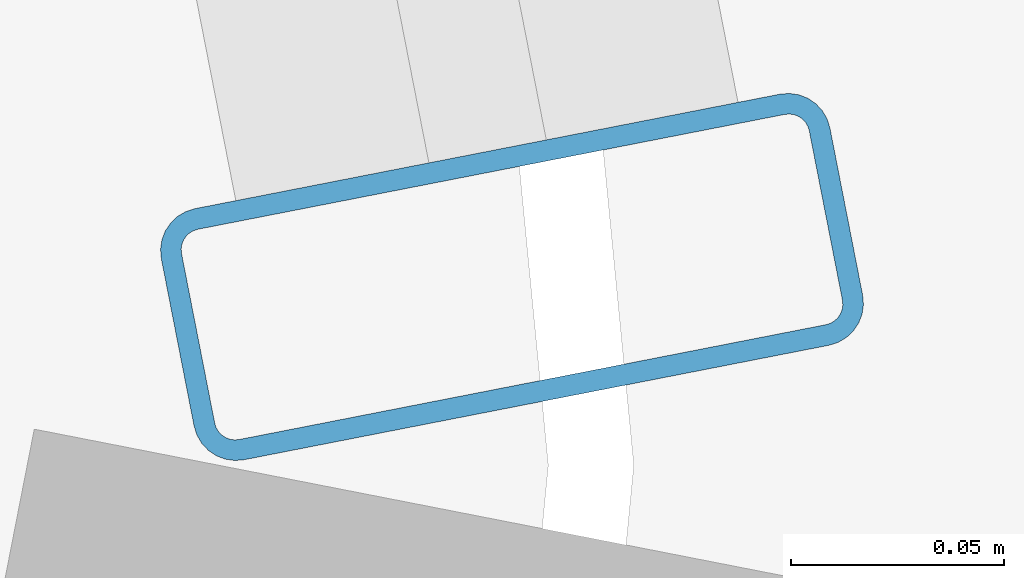
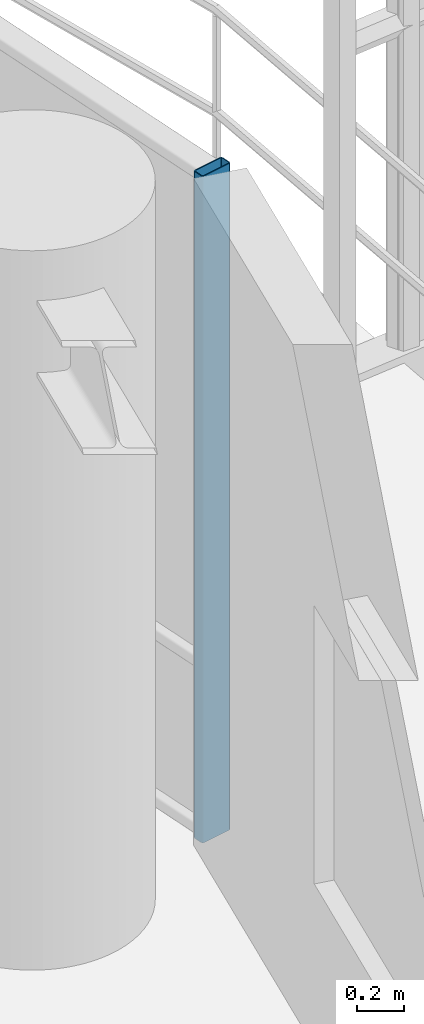
# One storey, part 14 of 31: 1 member, 1 element without a shape of its own.
"""IFC4 building model written with IfcOpenShell, lengths in metres."""

import ifcopenshell
import ifcopenshell.guid

model = None  # the IFC model being written
_history = None  # IfcOwnerHistory: only IFC2X3 demands one
_inside = {}  # id of a spatial element -> (the spatial element, [elements in it])
_under = {}  # id of a project, library or spatial element -> (it, [spatial elements below it])
_declared = {}  # id of a project -> (the project, [libraries it declares])
_typed = {}  # id of a type object -> (the type object, [elements of that type])
_made_of = {}  # id of a material, layer set ... -> (it, [elements and type objects made of it])


def new_model(schema):
    """Start an empty IFC model of exactly this schema.

    Asked for "IFC4X3", IfcOpenShell would pick the latest addendum, in which some entities
    have other attributes; the version numbers below select the first issue.
    IFC2X3 requires an IfcOwnerHistory on every rooted entity: one is made here for all.
    """
    global model, _history
    if schema == "IFC4X3":
        model = ifcopenshell.file(schema_version=(4, 3, 0, 0))
    else:
        model = ifcopenshell.file(schema=schema)
    _inside.clear()
    _under.clear()
    _declared.clear()
    _typed.clear()
    _made_of.clear()
    _history = None
    if model.schema == "IFC2X3":
        org = make("IfcOrganization", Name="unknown")
        user = make(
            "IfcPersonAndOrganization",
            ThePerson=make("IfcPerson", FamilyName="unknown"),
            TheOrganization=org,
        )
        app = make(
            "IfcApplication",
            ApplicationDeveloper=org,
            Version="unknown",
            ApplicationFullName="unknown",
            ApplicationIdentifier="unknown",
        )
        _history = make(
            "IfcOwnerHistory",
            OwningUser=user,
            OwningApplication=app,
            ChangeAction="ADDED",
            CreationDate=0,
        )
    return model


def make(cls, **values):
    """One entity of the class cls with the attributes given. An attribute that is None is left unset."""
    return model.create_entity(
        cls, **{name: value for name, value in values.items() if value is not None}
    )


def rooted(cls, **values):
    """An entity with a GlobalId (a new one), such as an element, a storey or a relation."""
    return make(cls, GlobalId=ifcopenshell.guid.new(), OwnerHistory=_history, **values)


def si_unit(unit_type, name, prefix=None):
    """IfcSIUnit, for example si_unit("LENGTHUNIT", "METRE", prefix="MILLI")."""
    return make("IfcSIUnit", UnitType=unit_type, Prefix=prefix, Name=name)


def assignment(units):
    """IfcUnitAssignment: the units of a project."""
    return None if units is None else make("IfcUnitAssignment", Units=units)


def point(xyz):
    """IfcCartesianPoint."""
    return None if xyz is None else make("IfcCartesianPoint", Coordinates=xyz)


def direction(xyz):
    """IfcDirection."""
    return None if xyz is None else make("IfcDirection", DirectionRatios=xyz)


def frame(location, z_axis=None, x_axis=None):
    """IfcAxis2Placement3D, a coordinate frame: its origin and axes. An axis left out is left unset."""
    return make(
        "IfcAxis2Placement3D",
        Location=point(location),
        Axis=direction(z_axis),
        RefDirection=direction(x_axis),
    )


def frame_2d(location, x_axis=None):
    """IfcAxis2Placement2D, a coordinate frame in the plane: its origin and x axis."""
    return make(
        "IfcAxis2Placement2D", Location=point(location), RefDirection=direction(x_axis)
    )


def origin():
    """The frame at (0, 0, 0) with its axes left unset."""
    return frame((0.0, 0.0, 0.0))


def origin_2d():
    """The frame at (0, 0) in the plane with its x axis left unset."""
    return frame_2d((0.0, 0.0))


def place(relative_to, where):
    """IfcLocalPlacement: puts the frame where relative to a parent placement (None: the world)."""
    return make(
        "IfcLocalPlacement", PlacementRelTo=relative_to, RelativePlacement=where
    )


def context(
    kind, dimensions, precision=None, world=None, true_north=None, identifier=None
):
    """IfcGeometricRepresentationContext, for example the 3D "Model" context."""
    return make(
        "IfcGeometricRepresentationContext",
        ContextIdentifier=identifier,
        ContextType=kind,
        CoordinateSpaceDimension=dimensions,
        Precision=precision,
        WorldCoordinateSystem=world,
        TrueNorth=true_north,
    )


def subcontext(parent, identifier, kind, view, scale=None):
    """IfcGeometricRepresentationSubContext, for example "Body" below "Model"."""
    return make(
        "IfcGeometricRepresentationSubContext",
        ContextIdentifier=identifier,
        ContextType=kind,
        ParentContext=parent,
        TargetScale=scale,
        TargetView=view,
    )


def project(units=None, contexts=None):
    """IfcProject with its units and contexts."""
    return rooted(
        "IfcProject",
        Name="project",
        RepresentationContexts=contexts,
        UnitsInContext=assignment(units),
    )


def spatial(cls, under=None, at=None, **own):
    """A site, building, storey or space (cls), placed at a placement, below another one or the project."""
    s = rooted(cls, ObjectPlacement=at, **own)
    if under is not None:
        _under.setdefault(under.id(), (under, []))[1].append(s)
    return s


def profile(cls, at=None, kind="AREA", **sizes):
    """A parametric profile (cls). Its sizes go by their IFC names, for example OverallWidth=200.0."""
    return make(cls, ProfileType=kind, Position=at, **sizes)


def hollow_rectangle(**sizes):
    """IfcRectangleHollowProfileDef."""
    return profile("IfcRectangleHollowProfileDef", **sizes)


def extrude(swept, where, along, depth):
    """IfcExtrudedAreaSolid: the profile swept, set in the frame where, extruded along a direction by depth."""
    return make(
        "IfcExtrudedAreaSolid",
        SweptArea=swept,
        Position=where,
        ExtrudedDirection=direction(along),
        Depth=depth,
    )


def shape(context_of_items, identifier, shape_type, items):
    """IfcShapeRepresentation: the items that make up one representation, for example the "Body"."""
    return make(
        "IfcShapeRepresentation",
        ContextOfItems=context_of_items,
        RepresentationIdentifier=identifier,
        RepresentationType=shape_type,
        Items=items,
    )


def material(Name=None, Category=None):
    """IfcMaterial."""
    return make("IfcMaterial", Name=Name, Category=Category)


def layer(
    of_material, thickness, ventilated=None, Name=None, Category=None, Priority=None
):
    """IfcMaterialLayer: one layer of a wall or slab, of a material (None: an air gap)."""
    return make(
        "IfcMaterialLayer",
        Material=of_material,
        LayerThickness=thickness,
        IsVentilated=ventilated,
        Name=Name,
        Category=Category,
        Priority=Priority,
    )


def layer_set(layers, Name=None):
    """IfcMaterialLayerSet."""
    return make("IfcMaterialLayerSet", MaterialLayers=layers, LayerSetName=Name)


def material_profile(
    of_material, cross_section, Name=None, Category=None, Priority=None
):
    """IfcMaterialProfile: a cross section and its material."""
    return make(
        "IfcMaterialProfile",
        Name=Name,
        Material=of_material,
        Profile=cross_section,
        Priority=Priority,
        Category=Category,
    )


def profile_set(profiles, Name=None, composite=None):
    """IfcMaterialProfileSet."""
    return make(
        "IfcMaterialProfileSet",
        Name=Name,
        MaterialProfiles=profiles,
        CompositeProfile=composite,
    )


def made_of(thing, what):
    """Note that an element or type object is made of a material, layer set ...; save() writes the relation."""
    if what is not None:
        _made_of.setdefault(what.id(), (what, []))[1].append(thing)
    return thing


def type_object(cls, material=None, **own):
    """A type object (cls), such as IfcWallType, which elements share."""
    return made_of(rooted(cls, **own), material)


def element(
    cls,
    number,
    at=None,
    inside=None,
    cuts=None,
    type_object=None,
    material=None,
    context=None,
    identifier="Body",
    shape_type=None,
    held_by="IfcProductDefinitionShape",
    body=None,
    shapes=None,
    **own,
):
    """One element of the class cls, such as IfcWall. Its Tag is "e" and its number.

    at: its placement. inside: the storey or other place that contains it. cuts: it is an
    opening in that element (IfcRelVoidsElement). A single representation is given by context,
    identifier, shape_type and body (its items); several are given by shapes. held_by: the class
    of the entity that holds the representations. save() writes the other relations.
    """
    e = rooted(cls, Tag="e%d" % number, ObjectPlacement=at, **own)
    if body is not None:
        shapes = [shape(context, identifier, shape_type, body)]
    if shapes is not None:
        e.Representation = make(held_by, Representations=shapes)
    if inside is not None:
        _inside.setdefault(inside.id(), (inside, []))[1].append(e)
    if cuts is not None:
        rooted(
            "IfcRelVoidsElement", RelatingBuildingElement=cuts, RelatedOpeningElement=e
        )
    if type_object is not None:
        _typed.setdefault(type_object.id(), (type_object, []))[1].append(e)
    return made_of(e, material)


def aggregate(whole, parts):
    """IfcRelAggregates: a whole, such as a stair, and the parts it consists of."""
    return rooted("IfcRelAggregates", RelatingObject=whole, RelatedObjects=parts)


def save(model, path):
    """Write the relations noted so far, then the file.

    IfcRelAggregates (storeys below a building ...), IfcRelContainedInSpatialStructure (elements
    in a storey), IfcRelDefinesByType, IfcRelAssociatesMaterial and IfcRelDeclares: one each for
    every whole, place, type object, material and project.
    """
    for whole, parts in _under.values():
        aggregate(whole, parts)
    for where, things in _inside.values():
        rooted(
            "IfcRelContainedInSpatialStructure",
            RelatedElements=things,
            RelatingStructure=where,
        )
    for kind, things in _typed.values():
        rooted("IfcRelDefinesByType", RelatedObjects=things, RelatingType=kind)
    for what, things in _made_of.values():
        rooted("IfcRelAssociatesMaterial", RelatedObjects=things, RelatingMaterial=what)
    for by, libraries in _declared.values():
        rooted("IfcRelDeclares", RelatingContext=by, RelatedDefinitions=libraries)
    model.write(path)


model = new_model("IFC4")

# Units and contexts
model_context = context("Model", 3, precision=1e-05, world=origin(), true_north=direction((0.0, 1.0)))
body_context = subcontext(model_context, "Body", "Model", "MODEL_VIEW")
ifc_project = project(units=[si_unit("LENGTHUNIT", "METRE"), si_unit("AREAUNIT", "SQUARE_METRE"), si_unit("VOLUMEUNIT", "CUBIC_METRE"), si_unit("PLANEANGLEUNIT", "RADIAN"), si_unit("MASSUNIT", "GRAM", prefix="KILO")], contexts=[model_context])

# Site, building, storey
site_placement = place(None, origin())
site = spatial("IfcSite", under=ifc_project, at=site_placement, CompositionType="ELEMENT")
building_placement = place(site_placement, origin())
building = spatial("IfcBuilding", under=site, at=building_placement, Name="Kelanora Arch Commons", CompositionType="ELEMENT")
storey_placement = place(building_placement, frame((0.0, 0.0, 219.449951171875)))
storey = spatial("IfcBuildingStorey", under=building, at=storey_placement, Name="L56", CompositionType="ELEMENT", Elevation=219.449951171875)

# Curtain wall, member
ifc_material_1 = material(Name="Terracotta ceramic-fritted low-E glass and aluminium", Category="masonry")
ifc_layer = layer(ifc_material_1, 0.175048828125)
ifc_layer_set = layer_set([ifc_layer], Name="Terracotta ceramic-fritted low-E glass and aluminium")
curtain_wall_type = type_object("IfcCurtainWallType", Name="CW-SYS-02", PredefinedType="NOTDEFINED", material=ifc_layer_set)
curtain_wall_placement = place(storey_placement, origin())
curtain_wall = element("IfcCurtainWall", 1, at=curtain_wall_placement, inside=storey, type_object=curtain_wall_type, Name="Unitised Curtain Wall L56-B00", PredefinedType="NOTDEFINED")
ifc_material_2 = material(Name="Powder-coated aluminium terracotta", Category="masonry")
ifc_material_profile = material_profile(ifc_material_2, hollow_rectangle(XDim=0.159912109375, YDim=0.06005859375, WallThickness=0.0048828125, InnerFilletRadius=0.0048828125, OuterFilletRadius=0.010009765625, at=origin_2d()), Name="CWM160x60")
ifc_profile_set = profile_set([ifc_material_profile], Name="Powder-coated aluminium terracotta")
member_type = type_object("IfcMemberType", Name="CWM-STD", PredefinedType="MULLION", material=ifc_profile_set)
member_placement = place(storey_placement, frame((96.19140625, 58.044189453125, 0.0), z_axis=(0.0, 0.0, 1.0), x_axis=(-0.981381438349, -0.192068926335, 0.0)))
member = element("IfcMember", 2, at=member_placement, type_object=member_type, Name="CW-02 mullion 1", PredefinedType="MULLION", context=body_context, shape_type="SweptSolid", body=[
    extrude(hollow_rectangle(XDim=0.159912109375, YDim=0.06005859375, WallThickness=0.0048828125, InnerFilletRadius=0.0048828125, OuterFilletRadius=0.010009765625, at=origin_2d()), origin(), (0.0, 0.0, 1.0), 3.47509765625),
])
aggregate(curtain_wall, [member])

save(model, "model.ifc")
